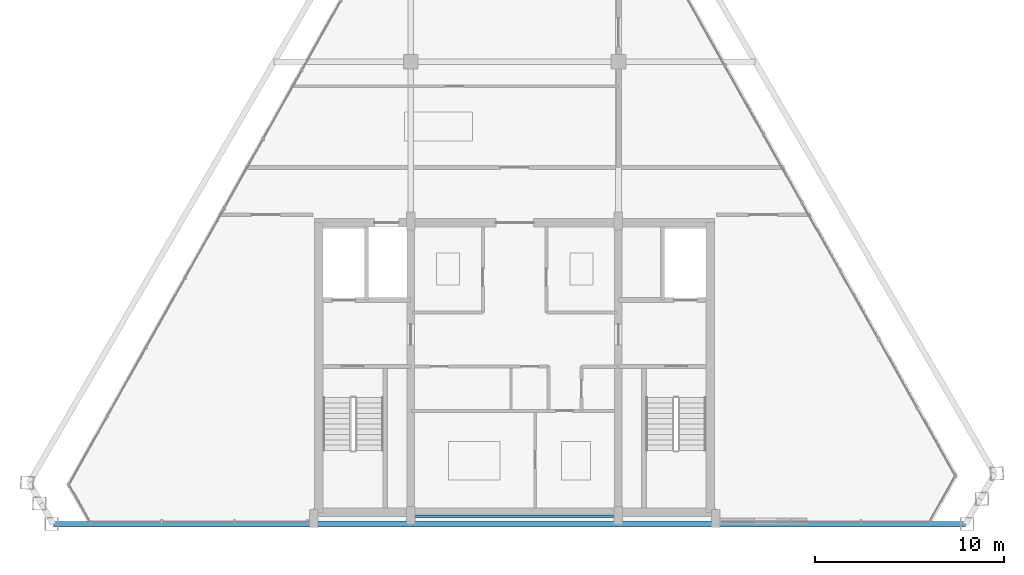
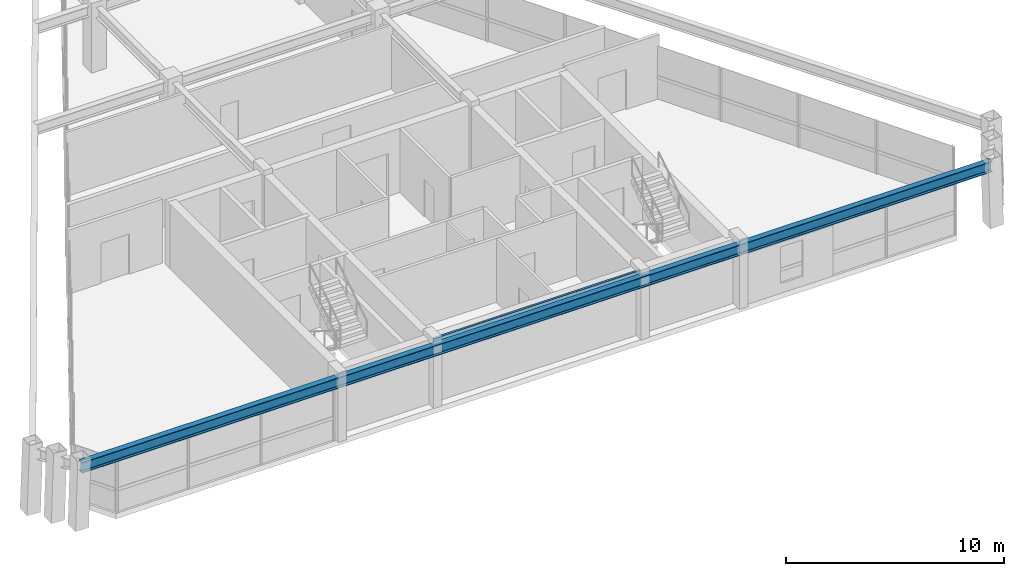
# One storey, part 3 of 12: 2 beams.
"""IFC4 building model written with IfcOpenShell, lengths in metres."""

from ifc_helpers import new_model, si_unit, direction, frame, origin, origin_2d, place, context, subcontext, project, spatial, i_section, extrude, source, transform, mapped, material, material_profile, profile_set, type_object, type_shapes, element, save


model = new_model("IFC4")

# Units and contexts
model_context = context("Model", 3, precision=1e-05, world=origin(), true_north=direction((0.0, 1.0)))
body_context = subcontext(model_context, "Body", "Model", "MODEL_VIEW")
ifc_project = project(units=[si_unit("LENGTHUNIT", "METRE"), si_unit("AREAUNIT", "SQUARE_METRE"), si_unit("VOLUMEUNIT", "CUBIC_METRE"), si_unit("PLANEANGLEUNIT", "RADIAN"), si_unit("MASSUNIT", "GRAM", prefix="KILO")], contexts=[model_context])

# Site, building, storey
site_placement = place(None, origin())
site = spatial("IfcSite", under=ifc_project, at=site_placement, CompositionType="ELEMENT")
building_placement = place(site_placement, origin())
building = spatial("IfcBuilding", under=site, at=building_placement, Name="Varnakhor Terracotta Tower", CompositionType="ELEMENT")
storey_placement = place(building_placement, frame((0.0, 0.0, 325.300048828125)))
storey = spatial("IfcBuildingStorey", under=building, at=storey_placement, Name="L85 Crown", CompositionType="ELEMENT", Elevation=325.300048828125)

# Beams
ifc_material = material(Name="Steel S355", Category="steel")
ifc_material_profile_1 = material_profile(ifc_material, i_section(OverallWidth=0.1201171875, OverallDepth=0.239990234375, WebThickness=0.006103515625, FlangeThickness=0.009765625, FilletRadius=0.01806640625, at=origin_2d()), Name="IPE240")
ifc_profile_set_1 = profile_set([ifc_material_profile_1], Name="Steel S355")
beam_type_1 = type_object("IfcBeamType", Name="LNT-IPE240", PredefinedType="LINTEL", material=ifc_profile_set_1)
shared_shape_1 = source(origin(), body_context, "Body", "SweptSolid", [
    extrude(i_section(OverallWidth=0.1201171875, OverallDepth=0.239990234375, WebThickness=0.006103515625, FlangeThickness=0.009765625, FilletRadius=0.01806640625, at=origin_2d()), origin(), (0.0, 0.0, 1.0), 11.0),
])
type_shapes(beam_type_1, [shared_shape_1])
beam_1_placement = place(storey_placement, frame((-5.5, 0.419921875, 3.47998046875), z_axis=(1.0, 0.0, 0.0), x_axis=(0.0, 1.0, 0.0)))
element("IfcBeam", 1, at=beam_1_placement, inside=storey, type_object=beam_type_1, Name="L85 Crown Core South Coupling Lintel", PredefinedType="LINTEL", context=body_context, shape_type="MappedRepresentation", body=[
    mapped(shared_shape_1, transform((0.0, 0.0, 0.0), scale=1.0)),
])
ifc_material_profile_2 = material_profile(ifc_material, i_section(OverallWidth=0.300048828125, OverallDepth=0.60009765625, WebThickness=0.015380859375, FlangeThickness=0.030029296875, FilletRadius=0.01806640625, at=origin_2d()), Name="HEB600")
ifc_profile_set_2 = profile_set([ifc_material_profile_2], Name="Steel S355")
beam_type_2 = type_object("IfcBeamType", Name="BM-HEB600", PredefinedType="BEAM", material=ifc_profile_set_2)
shared_shape_2 = source(origin(), body_context, "Body", "SweptSolid", [
    extrude(i_section(OverallWidth=0.300048828125, OverallDepth=0.60009765625, WebThickness=0.015380859375, FlangeThickness=0.030029296875, FilletRadius=0.01806640625, at=origin_2d()), origin(), (0.0, 0.0, 1.0), 48.317626953125),
])
beam_2_placement = place(storey_placement, frame((-24.442138671875, 0.0, 3.300048828125), z_axis=(1.0, 0.0, 0.0), x_axis=(0.0, 1.0, 0.0)))
element("IfcBeam", 2, at=beam_2_placement, inside=storey, type_object=beam_type_2, Name="L85 Crown Perimeter Spandrel 1", PredefinedType="BEAM", context=body_context, shape_type="MappedRepresentation", body=[
    mapped(shared_shape_2, transform((0.0, 0.0, 0.0), scale=1.0)),
])

save(model, "model.ifc")
